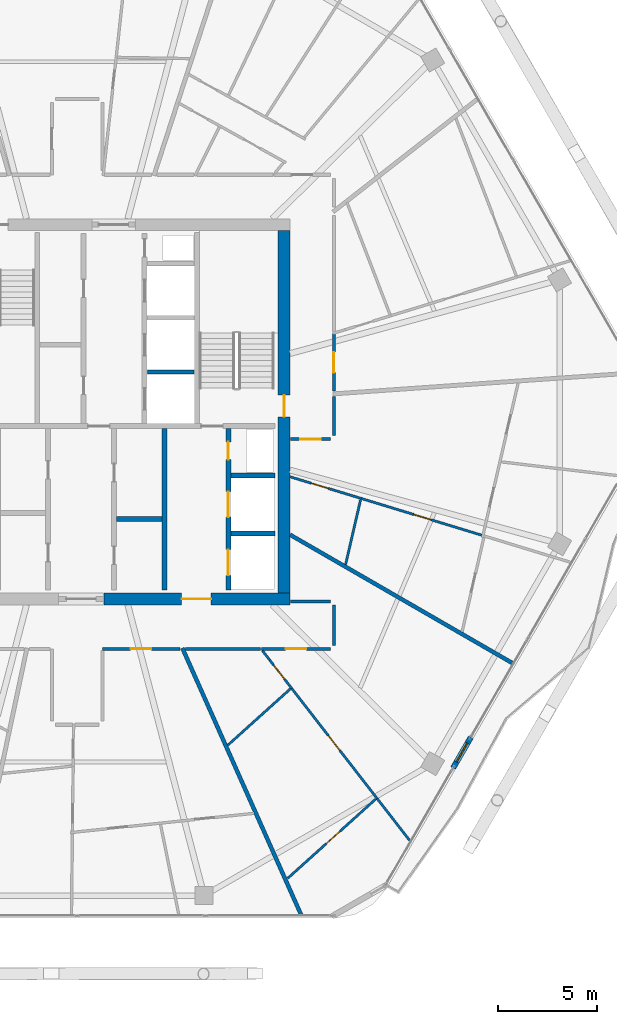
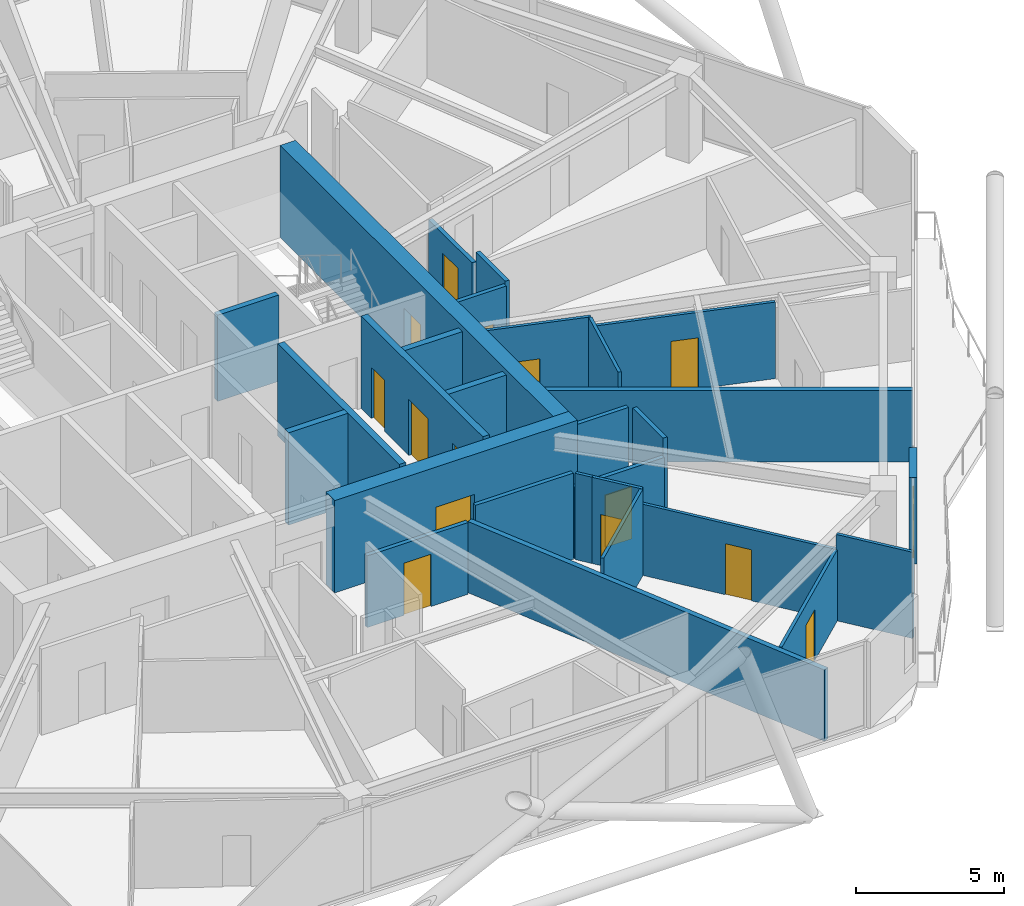
# One storey, part 22 of 29: 28 walls, 15 doors, 15 openings.
"""IFC4 building model written with IfcOpenShell, lengths in metres."""

import ifcopenshell
import ifcopenshell.guid

model = None  # the IFC model being written
_history = None  # IfcOwnerHistory: only IFC2X3 demands one
_inside = {}  # id of a spatial element -> (the spatial element, [elements in it])
_under = {}  # id of a project, library or spatial element -> (it, [spatial elements below it])
_declared = {}  # id of a project -> (the project, [libraries it declares])
_typed = {}  # id of a type object -> (the type object, [elements of that type])
_made_of = {}  # id of a material, layer set ... -> (it, [elements and type objects made of it])


def new_model(schema):
    """Start an empty IFC model of exactly this schema.

    Asked for "IFC4X3", IfcOpenShell would pick the latest addendum, in which some entities
    have other attributes; the version numbers below select the first issue.
    IFC2X3 requires an IfcOwnerHistory on every rooted entity: one is made here for all.
    """
    global model, _history
    if schema == "IFC4X3":
        model = ifcopenshell.file(schema_version=(4, 3, 0, 0))
    else:
        model = ifcopenshell.file(schema=schema)
    _inside.clear()
    _under.clear()
    _declared.clear()
    _typed.clear()
    _made_of.clear()
    _history = None
    if model.schema == "IFC2X3":
        org = make("IfcOrganization", Name="unknown")
        user = make(
            "IfcPersonAndOrganization",
            ThePerson=make("IfcPerson", FamilyName="unknown"),
            TheOrganization=org,
        )
        app = make(
            "IfcApplication",
            ApplicationDeveloper=org,
            Version="unknown",
            ApplicationFullName="unknown",
            ApplicationIdentifier="unknown",
        )
        _history = make(
            "IfcOwnerHistory",
            OwningUser=user,
            OwningApplication=app,
            ChangeAction="ADDED",
            CreationDate=0,
        )
    return model


def make(cls, **values):
    """One entity of the class cls with the attributes given. An attribute that is None is left unset."""
    return model.create_entity(
        cls, **{name: value for name, value in values.items() if value is not None}
    )


def rooted(cls, **values):
    """An entity with a GlobalId (a new one), such as an element, a storey or a relation."""
    return make(cls, GlobalId=ifcopenshell.guid.new(), OwnerHistory=_history, **values)


def si_unit(unit_type, name, prefix=None):
    """IfcSIUnit, for example si_unit("LENGTHUNIT", "METRE", prefix="MILLI")."""
    return make("IfcSIUnit", UnitType=unit_type, Prefix=prefix, Name=name)


def assignment(units):
    """IfcUnitAssignment: the units of a project."""
    return None if units is None else make("IfcUnitAssignment", Units=units)


def point(xyz):
    """IfcCartesianPoint."""
    return None if xyz is None else make("IfcCartesianPoint", Coordinates=xyz)


def direction(xyz):
    """IfcDirection."""
    return None if xyz is None else make("IfcDirection", DirectionRatios=xyz)


def frame(location, z_axis=None, x_axis=None):
    """IfcAxis2Placement3D, a coordinate frame: its origin and axes. An axis left out is left unset."""
    return make(
        "IfcAxis2Placement3D",
        Location=point(location),
        Axis=direction(z_axis),
        RefDirection=direction(x_axis),
    )


def frame_2d(location, x_axis=None):
    """IfcAxis2Placement2D, a coordinate frame in the plane: its origin and x axis."""
    return make(
        "IfcAxis2Placement2D", Location=point(location), RefDirection=direction(x_axis)
    )


def origin():
    """The frame at (0, 0, 0) with its axes left unset."""
    return frame((0.0, 0.0, 0.0))


def place(relative_to, where):
    """IfcLocalPlacement: puts the frame where relative to a parent placement (None: the world)."""
    return make(
        "IfcLocalPlacement", PlacementRelTo=relative_to, RelativePlacement=where
    )


def context(
    kind, dimensions, precision=None, world=None, true_north=None, identifier=None
):
    """IfcGeometricRepresentationContext, for example the 3D "Model" context."""
    return make(
        "IfcGeometricRepresentationContext",
        ContextIdentifier=identifier,
        ContextType=kind,
        CoordinateSpaceDimension=dimensions,
        Precision=precision,
        WorldCoordinateSystem=world,
        TrueNorth=true_north,
    )


def subcontext(parent, identifier, kind, view, scale=None):
    """IfcGeometricRepresentationSubContext, for example "Body" below "Model"."""
    return make(
        "IfcGeometricRepresentationSubContext",
        ContextIdentifier=identifier,
        ContextType=kind,
        ParentContext=parent,
        TargetScale=scale,
        TargetView=view,
    )


def project(units=None, contexts=None):
    """IfcProject with its units and contexts."""
    return rooted(
        "IfcProject",
        Name="project",
        RepresentationContexts=contexts,
        UnitsInContext=assignment(units),
    )


def spatial(cls, under=None, at=None, **own):
    """A site, building, storey or space (cls), placed at a placement, below another one or the project."""
    s = rooted(cls, ObjectPlacement=at, **own)
    if under is not None:
        _under.setdefault(under.id(), (under, []))[1].append(s)
    return s


def profile(cls, at=None, kind="AREA", **sizes):
    """A parametric profile (cls). Its sizes go by their IFC names, for example OverallWidth=200.0."""
    return make(cls, ProfileType=kind, Position=at, **sizes)


def rectangle(**sizes):
    """IfcRectangleProfileDef."""
    return profile("IfcRectangleProfileDef", **sizes)


def extrude(swept, where, along, depth):
    """IfcExtrudedAreaSolid: the profile swept, set in the frame where, extruded along a direction by depth."""
    return make(
        "IfcExtrudedAreaSolid",
        SweptArea=swept,
        Position=where,
        ExtrudedDirection=direction(along),
        Depth=depth,
    )


def shape(context_of_items, identifier, shape_type, items):
    """IfcShapeRepresentation: the items that make up one representation, for example the "Body"."""
    return make(
        "IfcShapeRepresentation",
        ContextOfItems=context_of_items,
        RepresentationIdentifier=identifier,
        RepresentationType=shape_type,
        Items=items,
    )


def material(Name=None, Category=None):
    """IfcMaterial."""
    return make("IfcMaterial", Name=Name, Category=Category)


def layer(
    of_material, thickness, ventilated=None, Name=None, Category=None, Priority=None
):
    """IfcMaterialLayer: one layer of a wall or slab, of a material (None: an air gap)."""
    return make(
        "IfcMaterialLayer",
        Material=of_material,
        LayerThickness=thickness,
        IsVentilated=ventilated,
        Name=Name,
        Category=Category,
        Priority=Priority,
    )


def layer_set(layers, Name=None):
    """IfcMaterialLayerSet."""
    return make("IfcMaterialLayerSet", MaterialLayers=layers, LayerSetName=Name)


def made_of(thing, what):
    """Note that an element or type object is made of a material, layer set ...; save() writes the relation."""
    if what is not None:
        _made_of.setdefault(what.id(), (what, []))[1].append(thing)
    return thing


def type_object(cls, material=None, **own):
    """A type object (cls), such as IfcWallType, which elements share."""
    return made_of(rooted(cls, **own), material)


def element(
    cls,
    number,
    at=None,
    inside=None,
    cuts=None,
    type_object=None,
    material=None,
    context=None,
    identifier="Body",
    shape_type=None,
    held_by="IfcProductDefinitionShape",
    body=None,
    shapes=None,
    **own,
):
    """One element of the class cls, such as IfcWall. Its Tag is "e" and its number.

    at: its placement. inside: the storey or other place that contains it. cuts: it is an
    opening in that element (IfcRelVoidsElement). A single representation is given by context,
    identifier, shape_type and body (its items); several are given by shapes. held_by: the class
    of the entity that holds the representations. save() writes the other relations.
    """
    e = rooted(cls, Tag="e%d" % number, ObjectPlacement=at, **own)
    if body is not None:
        shapes = [shape(context, identifier, shape_type, body)]
    if shapes is not None:
        e.Representation = make(held_by, Representations=shapes)
    if inside is not None:
        _inside.setdefault(inside.id(), (inside, []))[1].append(e)
    if cuts is not None:
        rooted(
            "IfcRelVoidsElement", RelatingBuildingElement=cuts, RelatedOpeningElement=e
        )
    if type_object is not None:
        _typed.setdefault(type_object.id(), (type_object, []))[1].append(e)
    return made_of(e, material)


def fill(opening, filler):
    """IfcRelFillsElement: the door or window that sits in an opening."""
    return rooted(
        "IfcRelFillsElement",
        RelatingOpeningElement=opening,
        RelatedBuildingElement=filler,
    )


def aggregate(whole, parts):
    """IfcRelAggregates: a whole, such as a stair, and the parts it consists of."""
    return rooted("IfcRelAggregates", RelatingObject=whole, RelatedObjects=parts)


def save(model, path):
    """Write the relations noted so far, then the file.

    IfcRelAggregates (storeys below a building ...), IfcRelContainedInSpatialStructure (elements
    in a storey), IfcRelDefinesByType, IfcRelAssociatesMaterial and IfcRelDeclares: one each for
    every whole, place, type object, material and project.
    """
    for whole, parts in _under.values():
        aggregate(whole, parts)
    for where, things in _inside.values():
        rooted(
            "IfcRelContainedInSpatialStructure",
            RelatedElements=things,
            RelatingStructure=where,
        )
    for kind, things in _typed.values():
        rooted("IfcRelDefinesByType", RelatedObjects=things, RelatingType=kind)
    for what, things in _made_of.values():
        rooted("IfcRelAssociatesMaterial", RelatedObjects=things, RelatingMaterial=what)
    for by, libraries in _declared.values():
        rooted("IfcRelDeclares", RelatingContext=by, RelatedDefinitions=libraries)
    model.write(path)


model = new_model("IFC4")

# Units and contexts
model_context = context("Model", 3, precision=1e-05, world=origin(), true_north=direction((0.0, 1.0)))
body_context = subcontext(model_context, "Body", "Model", "MODEL_VIEW")
ifc_project = project(units=[si_unit("LENGTHUNIT", "METRE"), si_unit("AREAUNIT", "SQUARE_METRE"), si_unit("VOLUMEUNIT", "CUBIC_METRE"), si_unit("PLANEANGLEUNIT", "RADIAN"), si_unit("MASSUNIT", "GRAM", prefix="KILO")], contexts=[model_context])

# Site, building, storey
site_placement = place(None, origin())
site = spatial("IfcSite", under=ifc_project, at=site_placement, CompositionType="ELEMENT")
building_placement = place(site_placement, origin())
building = spatial("IfcBuilding", under=site, at=building_placement, Name="Zuhravey Tower", CompositionType="ELEMENT")
storey_placement = place(building_placement, frame((0.0, 0.0, 246.39990234375)))
storey = spatial("IfcBuildingStorey", under=building, at=storey_placement, Name="L62", CompositionType="ELEMENT", Elevation=246.39990234375)

# Wall, opening, door
ifc_material_1 = material(Name="Concrete C50/60", Category="concrete")
ifc_layer_1 = layer(ifc_material_1, 0.60009765625)
ifc_layer_set_1 = layer_set([ifc_layer_1], Name="Concrete C50/60")
wall_type_1 = type_object("IfcWallType", Name="Core Shear Wall 600", PredefinedType="SHEAR", material=ifc_layer_set_1)
wall_1_placement = place(storey_placement, frame((37.35009765625, 22.5, 0.0), z_axis=(0.0, 0.0, 1.0), x_axis=(1.0, 0.0, 0.0)))
wall_1 = element("IfcWall", 1, at=wall_1_placement, inside=storey, type_object=wall_type_1, Name="L62 South-East Core Shear Wall CW60", PredefinedType="SHEAR", context=body_context, shape_type="SweptSolid", body=[
    extrude(rectangle(XDim=9.449951171875, YDim=0.60009765625, at=frame_2d((4.72509765625, 0.0))), origin(), (0.0, 0.0, 1.0), 3.800048828125),
])
opening_1_placement = place(wall_1_placement, frame((3.949951171875, 0.0, 0.0)))
opening_1 = element("IfcOpeningElement", 2, at=opening_1_placement, cuts=wall_1, Name="Opening FFD1", PredefinedType="OPENING", context=body_context, shape_type="SweptSolid", body=[
    extrude(rectangle(XDim=1.5, YDim=2.14990234375, at=frame_2d((0.75, 1.074951171875))), frame((0.0, 0.31201171875, 0.0), z_axis=(0.0, -1.0, 0.0), x_axis=(1.0, 0.0, 0.0)), (0.0, 0.0, 1.0), 0.6240234375),
])
ifc_material_2 = material(Name="Galvanised fire-rated steel leaf", Category="steel")
door_type_1 = type_object("IfcDoorType", Name="Firefighting Lobby Double Door 1500x2150", OperationType="DOUBLE_DOOR_SINGLE_SWING", PredefinedType="DOOR", material=ifc_material_2)
door_1_placement = place(opening_1_placement, origin())
door_1 = element("IfcDoor", 3, at=door_1_placement, inside=storey, type_object=door_type_1, Name="L62 Firefighting Lobby East Door", OperationType="DOUBLE_DOOR_SINGLE_SWING", OverallHeight=2.14990234375, OverallWidth=1.5, PredefinedType="DOOR", context=body_context, shape_type="SweptSolid", body=[
    extrude(rectangle(XDim=1.5, YDim=2.14990234375, at=frame_2d((0.75, 1.074951171875))), frame((0.0, 0.02490234375, 0.0), z_axis=(0.0, -1.0, 0.0), x_axis=(1.0, 0.0, 0.0)), (0.0, 0.0, 1.0), 0.050048828125),
])
fill(opening_1, door_1)

wall_2_placement = place(storey_placement, frame((46.5, 22.800048828125, 0.0), z_axis=(0.0, 0.0, 1.0), x_axis=(0.0, 1.0, 0.0)))
wall_2 = element("IfcWall", 4, at=wall_2_placement, inside=storey, type_object=wall_type_1, Name="L62 East Core Shear Wall CW60", PredefinedType="SHEAR", context=body_context, shape_type="SweptSolid", body=[
    extrude(rectangle(XDim=18.39990234375, YDim=0.60009765625, at=frame_2d((9.199951171875, 0.0))), origin(), (0.0, 0.0, 1.0), 3.800048828125),
])
opening_2_placement = place(wall_2_placement, frame((8.949951171875, 0.0, 0.0)))
opening_2 = element("IfcOpeningElement", 5, at=opening_2_placement, cuts=wall_2, Name="Opening STD1", PredefinedType="OPENING", context=body_context, shape_type="SweptSolid", body=[
    extrude(rectangle(XDim=1.10009765625, YDim=2.14990234375, at=frame_2d((0.550048828125, 1.074951171875))), frame((0.0, 0.31201171875, 0.0), z_axis=(0.0, -1.0, 0.0), x_axis=(1.0, 0.0, 0.0)), (0.0, 0.0, 1.0), 0.6240234375),
])
door_type_2 = type_object("IfcDoorType", Name="Protected Stair Fire Door 1100x2150", OperationType="NOTDEFINED", PredefinedType="USERDEFINED", material=ifc_material_2)
door_2_placement = place(opening_2_placement, origin())
door_2 = element("IfcDoor", 6, at=door_2_placement, inside=storey, type_object=door_type_2, Name="L62 Stair ST2 Door", ObjectType="EXITDOOR", OperationType="SINGLE_SWING_RIGHT", OverallHeight=2.14990234375, OverallWidth=1.10009765625, PredefinedType="USERDEFINED", context=body_context, shape_type="SweptSolid", body=[
    extrude(rectangle(XDim=1.10009765625, YDim=2.14990234375, at=frame_2d((0.550048828125, 1.074951171875))), frame((0.0, 0.02490234375, 0.0), z_axis=(0.0, -1.0, 0.0), x_axis=(1.0, 0.0, 0.0)), (0.0, 0.0, 1.0), 0.050048828125),
])
fill(opening_2, door_2)

ifc_material_3 = material(Name="Gypsum fire-rated stud partition")
ifc_layer_2 = layer(ifc_material_3, 0.159912109375)
ifc_layer_set_2 = layer_set([ifc_layer_2], Name="Gypsum fire-rated stud partition")
wall_type_2 = type_object("IfcWallType", Name="Corridor Fire Partition 160", PredefinedType="PARTITIONING", material=ifc_layer_set_2)
wall_3_placement = place(storey_placement, frame((37.280029296875, 19.969970703125, 0.0), z_axis=(0.0, 0.0, 1.0), x_axis=(1.0, 0.0, 0.0)))
wall_3 = element("IfcWall", 7, at=wall_3_placement, inside=storey, type_object=wall_type_2, Name="L62 IW16 Partition 047", PredefinedType="PARTITIONING", context=body_context, shape_type="SweptSolid", body=[
    extrude(rectangle(XDim=3.928955078125, YDim=0.159912109375, at=frame_2d((1.96435546875, 0.0))), origin(), (0.0, 0.0, 1.0), 2.9501953125),
])
opening_3_placement = place(wall_3_placement, frame((1.439453125, 0.0, 0.0)))
opening_3 = element("IfcOpeningElement", 8, at=opening_3_placement, cuts=wall_3, Name="Opening APD1", PredefinedType="OPENING", context=body_context, shape_type="SweptSolid", body=[
    extrude(rectangle(XDim=1.050048828125, YDim=2.14990234375, at=frame_2d((0.52490234375, 1.074951171875))), frame((0.0, 0.092041015625, 0.0), z_axis=(0.0, -1.0, 0.0), x_axis=(1.0, 0.0, 0.0)), (0.0, 0.0, 1.0), 0.183837890625),
])
ifc_material_4 = material(Name="Solid-core oak fire-rated leaf")
door_type_3 = type_object("IfcDoorType", Name="Apartment Entrance Fire Door 1050x2150", OperationType="NOTDEFINED", PredefinedType="DOOR", material=ifc_material_4)
door_3_placement = place(opening_3_placement, frame((1.050048828125, 0.0, 0.0), z_axis=(0.0, 0.0, 1.0), x_axis=(-1.0, 0.0, 0.0)))
door_3 = element("IfcDoor", 9, at=door_3_placement, inside=storey, type_object=door_type_3, Name="L62 Door 047.1", OperationType="SINGLE_SWING_RIGHT", OverallHeight=2.14990234375, OverallWidth=1.050048828125, PredefinedType="DOOR", context=body_context, shape_type="SweptSolid", body=[
    extrude(rectangle(XDim=1.050048828125, YDim=2.14990234375, at=frame_2d((0.52490234375, 1.074951171875))), frame((0.0, 0.02490234375, 0.0), z_axis=(0.0, -1.0, 0.0), x_axis=(1.0, 0.0, 0.0)), (0.0, 0.0, 1.0), 0.050048828125),
])
fill(opening_3, door_3)

wall_4_placement = place(storey_placement, frame((45.356689453125, 19.969970703125, 0.0), z_axis=(0.0, 0.0, 1.0), x_axis=(1.0, 0.0, 0.0)))
wall_4 = element("IfcWall", 10, at=wall_4_placement, inside=storey, type_object=wall_type_2, Name="L62 IW16 Partition 051", PredefinedType="PARTITIONING", context=body_context, shape_type="SweptSolid", body=[
    extrude(rectangle(XDim=3.493408203125, YDim=0.159912109375, at=frame_2d((1.74658203125, 0.0))), origin(), (0.0, 0.0, 1.0), 2.9501953125),
])
opening_4_placement = place(wall_4_placement, frame((1.2216796875, 0.0, 0.0)))
opening_4 = element("IfcOpeningElement", 11, at=opening_4_placement, cuts=wall_4, Name="Opening APD1", PredefinedType="OPENING", context=body_context, shape_type="SweptSolid", body=[
    extrude(rectangle(XDim=1.050048828125, YDim=2.14990234375, at=frame_2d((0.52490234375, 1.074951171875))), frame((0.0, 0.092041015625, 0.0), z_axis=(0.0, -1.0, 0.0), x_axis=(1.0, 0.0, 0.0)), (0.0, 0.0, 1.0), 0.183837890625),
])
door_4_placement = place(opening_4_placement, frame((1.050048828125, 0.0, 0.0), z_axis=(0.0, 0.0, 1.0), x_axis=(-1.0, 0.0, 0.0)))
door_4 = element("IfcDoor", 12, at=door_4_placement, inside=storey, type_object=door_type_3, Name="L62 Door 051.1", OperationType="SINGLE_SWING_RIGHT", OverallHeight=2.14990234375, OverallWidth=1.050048828125, PredefinedType="DOOR", context=body_context, shape_type="SweptSolid", body=[
    extrude(rectangle(XDim=1.050048828125, YDim=2.14990234375, at=frame_2d((0.52490234375, 1.074951171875))), frame((0.0, 0.02490234375, 0.0), z_axis=(0.0, -1.0, 0.0), x_axis=(1.0, 0.0, 0.0)), (0.0, 0.0, 1.0), 0.050048828125),
])
fill(opening_4, door_4)

wall_5_placement = place(storey_placement, frame((46.820068359375, 30.6201171875, 0.0), z_axis=(0.0, 0.0, 1.0), x_axis=(1.0, 0.0, 0.0)))
wall_5 = element("IfcWall", 13, at=wall_5_placement, inside=storey, type_object=wall_type_2, Name="L62 IW16 Partition 056", PredefinedType="PARTITIONING", context=body_context, shape_type="SweptSolid", body=[
    extrude(rectangle(XDim=2.030029296875, YDim=0.159912109375, at=frame_2d((1.01513671875, 0.0))), origin(), (0.0, 0.0, 1.0), 3.550048828125),
])
opening_5_placement = place(wall_5_placement, frame((0.489990234375, 0.0, 0.0)))
opening_5 = element("IfcOpeningElement", 14, at=opening_5_placement, cuts=wall_5, Name="Opening APD1", PredefinedType="OPENING", context=body_context, shape_type="SweptSolid", body=[
    extrude(rectangle(XDim=1.050048828125, YDim=2.14990234375, at=frame_2d((0.52490234375, 1.074951171875))), frame((0.0, 0.092041015625, 0.0), z_axis=(0.0, -1.0, 0.0), x_axis=(1.0, 0.0, 0.0)), (0.0, 0.0, 1.0), 0.183837890625),
])
door_5_placement = place(opening_5_placement, frame((1.050048828125, 0.0, 0.0), z_axis=(0.0, 0.0, 1.0), x_axis=(-1.0, 0.0, 0.0)))
door_5 = element("IfcDoor", 15, at=door_5_placement, inside=storey, type_object=door_type_3, Name="L62 Door 056.1", OperationType="SINGLE_SWING_RIGHT", OverallHeight=2.14990234375, OverallWidth=1.050048828125, PredefinedType="DOOR", context=body_context, shape_type="SweptSolid", body=[
    extrude(rectangle(XDim=1.050048828125, YDim=2.14990234375, at=frame_2d((0.52490234375, 1.074951171875))), frame((0.0, 0.02490234375, 0.0), z_axis=(0.0, -1.0, 0.0), x_axis=(1.0, 0.0, 0.0)), (0.0, 0.0, 1.0), 0.050048828125),
])
fill(opening_5, door_5)

wall_6_placement = place(storey_placement, frame((49.030029296875, 33.04541015625, 0.0), z_axis=(0.0, 0.0, 1.0), x_axis=(0.0, 1.0, 0.0)))
wall_6 = element("IfcWall", 16, at=wall_6_placement, inside=storey, type_object=wall_type_2, Name="L62 IW16 Partition 060", PredefinedType="PARTITIONING", context=body_context, shape_type="SweptSolid", body=[
    extrude(rectangle(XDim=2.92724609375, YDim=0.159912109375, at=frame_2d((1.463623046875, 0.0))), origin(), (0.0, 0.0, 1.0), 2.9501953125),
])
opening_6_placement = place(wall_6_placement, frame((0.938720703125, 0.0, 0.0)))
opening_6 = element("IfcOpeningElement", 17, at=opening_6_placement, cuts=wall_6, Name="Opening APD1", PredefinedType="OPENING", context=body_context, shape_type="SweptSolid", body=[
    extrude(rectangle(XDim=1.050048828125, YDim=2.14990234375, at=frame_2d((0.52490234375, 1.074951171875))), frame((0.0, 0.092041015625, 0.0), z_axis=(0.0, -1.0, 0.0), x_axis=(1.0, 0.0, 0.0)), (0.0, 0.0, 1.0), 0.183837890625),
])
door_6_placement = place(opening_6_placement, frame((1.050048828125, 0.0, 0.0), z_axis=(0.0, 0.0, 1.0), x_axis=(-1.0, 0.0, 0.0)))
door_6 = element("IfcDoor", 18, at=door_6_placement, inside=storey, type_object=door_type_3, Name="L62 Door 060.1", OperationType="SINGLE_SWING_RIGHT", OverallHeight=2.14990234375, OverallWidth=1.050048828125, PredefinedType="DOOR", context=body_context, shape_type="SweptSolid", body=[
    extrude(rectangle(XDim=1.050048828125, YDim=2.14990234375, at=frame_2d((0.52490234375, 1.074951171875))), frame((0.0, 0.02490234375, 0.0), z_axis=(0.0, -1.0, 0.0), x_axis=(1.0, 0.0, 0.0)), (0.0, 0.0, 1.0), 0.050048828125),
])
fill(opening_6, door_6)

# Walls
wall_7_placement = place(storey_placement, frame((49.030029296875, 20.14990234375, 0.0), z_axis=(0.0, 0.0, 1.0), x_axis=(0.0, 1.0, 0.0)))
element("IfcWall", 19, at=wall_7_placement, inside=storey, type_object=wall_type_2, Name="L62 IW16 Partition 135", PredefinedType="PARTITIONING", context=body_context, shape_type="SweptSolid", body=[
    extrude(rectangle(XDim=2.050048828125, YDim=0.159912109375, at=frame_2d((1.02490234375, 0.0))), origin(), (0.0, 0.0, 1.0), 3.550048828125),
])
wall_8_placement = place(storey_placement, frame((48.85009765625, 22.3798828125, 0.0), z_axis=(0.0, 0.0, 1.0), x_axis=(-1.0, 0.0, 0.0)))
element("IfcWall", 20, at=wall_8_placement, inside=storey, type_object=wall_type_2, Name="L62 IW16 Partition 136", PredefinedType="PARTITIONING", context=body_context, shape_type="SweptSolid", body=[
    extrude(rectangle(XDim=2.030029296875, YDim=0.159912109375, at=frame_2d((1.01513671875, 0.0))), origin(), (0.0, 0.0, 1.0), 3.550048828125),
])
wall_9_placement = place(storey_placement, frame((41.50439453125, 19.969970703125, 0.0), z_axis=(0.0, 0.0, 1.0), x_axis=(1.0, 0.0, 0.0)))
element("IfcWall", 21, at=wall_9_placement, inside=storey, type_object=wall_type_2, Name="L62 IW16 Partition 137", PredefinedType="PARTITIONING", context=body_context, shape_type="SweptSolid", body=[
    extrude(rectangle(XDim=3.8017578125, YDim=0.159912109375, at=frame_2d((1.90087890625, 0.0))), origin(), (0.0, 0.0, 1.0), 3.550048828125),
])
wall_10_placement = place(storey_placement, frame((49.030029296875, 30.800048828125, 0.0), z_axis=(0.0, 0.0, 1.0), x_axis=(0.0, 1.0, 0.0)))
element("IfcWall", 22, at=wall_10_placement, inside=storey, type_object=wall_type_2, Name="L62 IW16 Partition 138", PredefinedType="PARTITIONING", context=body_context, shape_type="SweptSolid", body=[
    extrude(rectangle(XDim=1.976806640625, YDim=0.159912109375, at=frame_2d((0.98828125, 0.0))), origin(), (0.0, 0.0, 1.0), 3.550048828125),
])

# Wall, opening, door
ifc_material_5 = material(Name="Precast concrete C40/50", Category="concrete")
ifc_layer_3 = layer(ifc_material_5, 0.280029296875)
ifc_layer_set_3 = layer_set([ifc_layer_3], Name="Precast concrete C40/50")
wall_type_3 = type_object("IfcWallType", Name="Crown Architectural Wall 280", PredefinedType="SOLIDWALL", material=ifc_layer_set_3)
wall_11_placement = place(storey_placement, frame((55.97998046875, 15.47900390625, 0.0), z_axis=(0.0, 0.0, 1.0), x_axis=(-0.500041240653, -0.866001592173, 0.0)))
wall_11 = element("IfcWall", 23, at=wall_11_placement, inside=storey, type_object=wall_type_3, Name="L62 Face 6 Facade Pier EW28-1", PredefinedType="SOLIDWALL", context=body_context, shape_type="SweptSolid", body=[
    extrude(rectangle(XDim=1.789794921875, YDim=0.280029296875, at=frame_2d((0.89501953125, 0.0))), origin(), (0.0, 0.0, 1.0), 3.550048828125),
])
opening_7_placement = place(wall_11_placement, frame((0.344970703125, 0.0, 0.0)))
opening_7 = element("IfcOpeningElement", 24, at=opening_7_placement, cuts=wall_11, Name="Opening BLD1", PredefinedType="OPENING", context=body_context, shape_type="SweptSolid", body=[
    extrude(rectangle(XDim=1.10009765625, YDim=2.199951171875, at=frame_2d((0.550048828125, 1.10009765625))), frame((0.0, 0.152099609375, 0.0), z_axis=(0.0, -1.0, 0.0), x_axis=(1.0, 0.0, 0.0)), (0.0, 0.0, 1.0), 0.303955078125),
])
ifc_material_6 = material(Name="Thermally broken aluminium and low-E glass", Category="aluminium")
door_type_4 = type_object("IfcDoorType", Name="Balcony & Sky-Tray Glazed Door 1100x2200", OperationType="NOTDEFINED", PredefinedType="DOOR", material=ifc_material_6)
door_7_placement = place(opening_7_placement, frame((1.10009765625, 0.0, 0.0), z_axis=(0.0, 0.0, 1.0), x_axis=(-1.0, 0.0, 0.0)))
door_7 = element("IfcDoor", 25, at=door_7_placement, inside=storey, type_object=door_type_4, Name="L62 Face 6 Wave Balcony Door", OperationType="SINGLE_SWING_LEFT", OverallHeight=2.199951171875, OverallWidth=1.10009765625, PredefinedType="DOOR", context=body_context, shape_type="SweptSolid", body=[
    extrude(rectangle(XDim=1.10009765625, YDim=2.199951171875, at=frame_2d((0.550048828125, 1.10009765625))), frame((0.0, 0.02490234375, 0.0), z_axis=(0.0, -1.0, 0.0), x_axis=(1.0, 0.0, 0.0)), (0.0, 0.0, 1.0), 0.050048828125),
])
fill(opening_7, door_7)

# Walls
ifc_layer_4 = layer(ifc_material_1, 0.25)
ifc_layer_set_4 = layer_set([ifc_layer_4], Name="Concrete C50/60")
wall_type_4 = type_object("IfcWallType", Name="Firefighting Shaft & Stair Wall 250", PredefinedType="SOLIDWALL", material=ifc_layer_set_4)
wall_12_placement = place(storey_placement, frame((38.0, 26.550048828125, 0.0), z_axis=(0.0, 0.0, 1.0), x_axis=(1.0, 0.0, 0.0)))
element("IfcWall", 26, at=wall_12_placement, inside=storey, type_object=wall_type_4, Name="L62 FW25 Shaft Wall 015", PredefinedType="SOLIDWALL", context=body_context, shape_type="SweptSolid", body=[
    extrude(rectangle(XDim=2.300048828125, YDim=0.25, at=frame_2d((1.14990234375, 0.0))), origin(), (0.0, 0.0, 1.0), 3.800048828125),
])
wall_13_placement = place(storey_placement, frame((40.425048828125, 22.949951171875, 0.0), z_axis=(0.0, 0.0, 1.0), x_axis=(0.0, 1.0, 0.0)))
element("IfcWall", 27, at=wall_13_placement, inside=storey, type_object=wall_type_4, Name="L62 FW25 Shaft Wall 017", PredefinedType="SOLIDWALL", context=body_context, shape_type="SweptSolid", body=[
    extrude(rectangle(XDim=8.199951171875, YDim=0.25, at=frame_2d((4.10009765625, 0.0))), origin(), (0.0, 0.0, 1.0), 3.800048828125),
])
for number, where, z_axis, x_axis, name in (
    (28, (43.800048828125, 25.824951171875, 0.0), (0.0, 0.0, 1.0), (1.0, 0.0, 0.0), "L62 FW25 Shaft Wall 018"),
    (29, (43.800048828125, 28.77490234375, 0.0), (0.0, 0.0, 1.0), (1.0, 0.0, 0.0), "L62 FW25 Shaft Wall 019"),
):
    element("IfcWall", number, at=place(storey_placement, frame(where, z_axis=z_axis, x_axis=x_axis)), inside=storey, type_object=wall_type_4, Name=name, PredefinedType="SOLIDWALL", context=body_context, shape_type="SweptSolid", body=[
        extrude(rectangle(XDim=2.25, YDim=0.25, at=frame_2d((1.125, 0.0))), origin(), (0.0, 0.0, 1.0), 3.800048828125),
    ])

# Wall, openings, doors
wall_14_placement = place(storey_placement, frame((43.675048828125, 22.949951171875, 0.0), z_axis=(0.0, 0.0, 1.0), x_axis=(0.0, 1.0, 0.0)))
wall_14 = element("IfcWall", 30, at=wall_14_placement, inside=storey, type_object=wall_type_4, Name="L62 FW25 Shaft Wall 020", PredefinedType="SOLIDWALL", context=body_context, shape_type="SweptSolid", body=[
    extrude(rectangle(XDim=8.199951171875, YDim=0.25, at=frame_2d((4.10009765625, 0.0))), origin(), (0.0, 0.0, 1.0), 3.800048828125),
])
opening_8_placement = place(wall_14_placement, frame((0.75, 0.0, 0.0)))
opening_8 = element("IfcOpeningElement", 31, at=opening_8_placement, cuts=wall_14, Name="Opening LD2", PredefinedType="OPENING", context=body_context, shape_type="SweptSolid", body=[
    extrude(rectangle(XDim=1.300048828125, YDim=2.300048828125, at=frame_2d((0.64990234375, 1.14990234375))), frame((0.0, 0.136962890625, 0.0), z_axis=(0.0, -1.0, 0.0), x_axis=(1.0, 0.0, 0.0)), (0.0, 0.0, 1.0), 0.27392578125),
])
opening_9_placement = place(wall_14_placement, frame((3.699951171875, 0.0, 0.0)))
opening_9 = element("IfcOpeningElement", 32, at=opening_9_placement, cuts=wall_14, Name="Opening LD2", PredefinedType="OPENING", context=body_context, shape_type="SweptSolid", body=[
    extrude(rectangle(XDim=1.300048828125, YDim=2.300048828125, at=frame_2d((0.64990234375, 1.14990234375))), frame((0.0, 0.136962890625, 0.0), z_axis=(0.0, -1.0, 0.0), x_axis=(1.0, 0.0, 0.0)), (0.0, 0.0, 1.0), 0.27392578125),
])
opening_10_placement = place(wall_14_placement, frame((6.6201171875, 0.0, 0.0)))
opening_10 = element("IfcOpeningElement", 33, at=opening_10_placement, cuts=wall_14, Name="Opening RSD1", PredefinedType="OPENING", context=body_context, shape_type="SweptSolid", body=[
    extrude(rectangle(XDim=0.89990234375, YDim=2.10009765625, at=frame_2d((0.449951171875, 1.050048828125))), frame((0.0, 0.136962890625, 0.0), z_axis=(0.0, -1.0, 0.0), x_axis=(1.0, 0.0, 0.0)), (0.0, 0.0, 1.0), 0.27392578125),
])
ifc_material_7 = material(Name="Brushed stainless steel", Category="steel")
door_type_5 = type_object("IfcDoorType", Name="Freight & Stretcher Lift Sliding Door 1300x2300", OperationType="DOUBLE_DOOR_SLIDING", PredefinedType="DOOR", material=ifc_material_7)
door_8_placement = place(opening_8_placement, origin())
door_8 = element("IfcDoor", 34, at=door_8_placement, inside=storey, type_object=door_type_5, Name="L62 Lift FF2 Landing Door", OperationType="DOUBLE_DOOR_SLIDING", OverallHeight=2.300048828125, OverallWidth=1.300048828125, PredefinedType="DOOR", context=body_context, shape_type="SweptSolid", body=[
    extrude(rectangle(XDim=1.300048828125, YDim=2.300048828125, at=frame_2d((0.64990234375, 1.14990234375))), frame((0.0, 0.02490234375, 0.0), z_axis=(0.0, -1.0, 0.0), x_axis=(1.0, 0.0, 0.0)), (0.0, 0.0, 1.0), 0.050048828125),
])
fill(opening_8, door_8)
door_9_placement = place(opening_9_placement, origin())
door_9 = element("IfcDoor", 35, at=door_9_placement, inside=storey, type_object=door_type_5, Name="L62 Lift SV1 Landing Door", OperationType="DOUBLE_DOOR_SLIDING", OverallHeight=2.300048828125, OverallWidth=1.300048828125, PredefinedType="DOOR", context=body_context, shape_type="SweptSolid", body=[
    extrude(rectangle(XDim=1.300048828125, YDim=2.300048828125, at=frame_2d((0.64990234375, 1.14990234375))), frame((0.0, 0.02490234375, 0.0), z_axis=(0.0, -1.0, 0.0), x_axis=(1.0, 0.0, 0.0)), (0.0, 0.0, 1.0), 0.050048828125),
])
fill(opening_9, door_9)
ifc_material_8 = material(Name="Galvanised fire-rated steel access leaf", Category="steel")
door_type_6 = type_object("IfcDoorType", Name="Riser & Shaft Access Fire Door 900x2100", OperationType="NOTDEFINED", PredefinedType="DOOR", material=ifc_material_8)
door_10_placement = place(opening_10_placement, origin())
door_10 = element("IfcDoor", 36, at=door_10_placement, inside=storey, type_object=door_type_6, Name="L62 Plumbing Riser Door", OperationType="SINGLE_SWING_RIGHT", OverallHeight=2.10009765625, OverallWidth=0.89990234375, PredefinedType="DOOR", context=body_context, shape_type="SweptSolid", body=[
    extrude(rectangle(XDim=0.89990234375, YDim=2.10009765625, at=frame_2d((0.449951171875, 1.050048828125))), frame((0.0, 0.02490234375, 0.0), z_axis=(0.0, -1.0, 0.0), x_axis=(1.0, 0.0, 0.0)), (0.0, 0.0, 1.0), 0.050048828125),
])
fill(opening_10, door_10)

# Walls
ifc_material_9 = material(Name="Gypsum double-stud party assembly")
ifc_layer_5 = layer(ifc_material_9, 0.199951171875)
ifc_layer_set_5 = layer_set([ifc_layer_5], Name="Gypsum double-stud party assembly")
wall_type_5 = type_object("IfcWallType", Name="Inter-Tenancy Party Wall 200", PredefinedType="PARTITIONING", material=ifc_layer_set_5)
wall_15_placement = place(storey_placement, frame((41.33837890625, 20.010009765625, 0.0), z_axis=(0.0, 0.0, 1.0), x_axis=(0.406725337387, -0.913550491176, 0.0)))
element("IfcWall", 37, at=wall_15_placement, inside=storey, type_object=wall_type_5, Name="L62 IW20 Partition 100", PredefinedType="PARTITIONING", context=body_context, shape_type="SweptSolid", body=[
    extrude(rectangle(XDim=14.858154296875, YDim=0.199951171875, at=frame_2d((7.42919921875, 0.0))), origin(), (0.0, 0.0, 1.0), 2.93017578125),
])
wall_16_placement = place(storey_placement, frame((46.80810546875, 25.760009765625, 0.0), z_axis=(0.0, 0.0, 1.0), x_axis=(0.86602399778, -0.500002435262, 0.0)))
element("IfcWall", 38, at=wall_16_placement, inside=storey, type_object=wall_type_5, Name="L62 IW20 Partition 104", PredefinedType="PARTITIONING", context=body_context, shape_type="SweptSolid", body=[
    extrude(rectangle(XDim=13.08349609375, YDim=0.199951171875, at=frame_2d((6.541748046875, 0.0))), origin(), (0.0, 0.0, 1.0), 2.93017578125),
])
ifc_material_10 = material(Name="Gypsum acoustic stud assembly")
ifc_layer_6 = layer(ifc_material_10, 0.219970703125)
ifc_layer_set_6 = layer_set([ifc_layer_6], Name="Gypsum acoustic stud assembly")
wall_type_6 = type_object("IfcWallType", Name="School Acoustic Compartment Wall 220", PredefinedType="PARTITIONING", material=ifc_layer_set_6)
wall_17_placement = place(storey_placement, frame((39.55810546875, 34.02490234375, 0.0), z_axis=(0.0, 0.0, 1.0), x_axis=(1.0, 0.0, 0.0)))
element("IfcWall", 39, at=wall_17_placement, inside=storey, type_object=wall_type_6, Name="L62 IW22 Partition 070", PredefinedType="PARTITIONING", context=body_context, shape_type="SweptSolid", body=[
    extrude(rectangle(XDim=2.3837890625, YDim=0.219970703125, at=frame_2d((1.19189453125, 0.0))), origin(), (0.0, 0.0, 1.0), 3.550048828125),
])

# Wall, opening, door
ifc_material_11 = material(Name="Gypsum metal-stud partition")
ifc_layer_7 = layer(ifc_material_11, 0.1201171875)
ifc_layer_set_7 = layer_set([ifc_layer_7], Name="Gypsum metal-stud partition")
wall_type_7 = type_object("IfcWallType", Name="Unit Internal Partition 120", PredefinedType="PARTITIONING", material=ifc_layer_set_7)
wall_18_placement = place(storey_placement, frame((45.7734375, 19.39990234375, 0.0), z_axis=(0.0, 0.0, 1.0), x_axis=(0.612972513082, -0.790104232495, 0.0)))
wall_18 = element("IfcWall", 40, at=wall_18_placement, inside=storey, type_object=wall_type_7, Name="L62 IW12 Partition 048", PredefinedType="PARTITIONING", context=body_context, shape_type="SweptSolid", body=[
    extrude(rectangle(XDim=1.816650390625, YDim=0.1201171875, at=frame_2d((0.908203125, 0.0))), origin(), (0.0, 0.0, 1.0), 3.550048828125),
])
opening_11_placement = place(wall_18_placement, frame((0.31298828125, 0.0, 0.0)))
opening_11 = element("IfcOpeningElement", 41, at=opening_11_placement, cuts=wall_18, Name="Opening WCD1", PredefinedType="OPENING", context=body_context, shape_type="SweptSolid", body=[
    extrude(rectangle(XDim=0.89990234375, YDim=2.10009765625, at=frame_2d((0.449951171875, 1.050048828125))), frame((0.0, 0.072021484375, 0.0), z_axis=(0.0, -1.0, 0.0), x_axis=(1.0, 0.0, 0.0)), (0.0, 0.0, 1.0), 0.14404296875),
])
ifc_material_12 = material(Name="Moisture-resistant timber leaf", Category="wood")
door_type_7 = type_object("IfcDoorType", Name="Bathroom & WC Internal Door 900x2100", OperationType="NOTDEFINED", PredefinedType="DOOR", material=ifc_material_12)
door_11_placement = place(opening_11_placement, frame((0.89990234375, 0.0, 0.0), z_axis=(0.0, 0.0, 1.0), x_axis=(-1.0, 0.0, 0.0)))
door_11 = element("IfcDoor", 42, at=door_11_placement, inside=storey, type_object=door_type_7, Name="Apartment L62-07 Bathroom Door", OperationType="SINGLE_SWING_LEFT", OverallHeight=2.10009765625, OverallWidth=0.89990234375, PredefinedType="DOOR", context=body_context, shape_type="SweptSolid", body=[
    extrude(rectangle(XDim=0.89990234375, YDim=2.10009765625, at=frame_2d((0.449951171875, 1.050048828125))), frame((0.0, 0.02490234375, 0.0), z_axis=(0.0, -1.0, 0.0), x_axis=(1.0, 0.0, 0.0)), (0.0, 0.0, 1.0), 0.050048828125),
])
fill(opening_11, door_11)

wall_19_placement = place(storey_placement, frame((46.88720703125, 17.964599609375, 0.0), z_axis=(0.0, 0.0, 1.0), x_axis=(0.612896077685, -0.790163526087, 0.0)))
wall_19 = element("IfcWall", 43, at=wall_19_placement, inside=storey, type_object=wall_type_7, Name="L62 IW12 Partition 049", PredefinedType="PARTITIONING", context=body_context, shape_type="SweptSolid", body=[
    extrude(rectangle(XDim=7.074951171875, YDim=0.1201171875, at=frame_2d((3.53759765625, 0.0))), origin(), (0.0, 0.0, 1.0), 2.93017578125),
])
opening_12_placement = place(wall_19_placement, frame((3.03759765625, 0.0, 0.0)))
opening_12 = element("IfcOpeningElement", 44, at=opening_12_placement, cuts=wall_19, Name="Opening IND1", PredefinedType="OPENING", context=body_context, shape_type="SweptSolid", body=[
    extrude(rectangle(XDim=0.949951171875, YDim=2.10009765625, at=frame_2d((0.47509765625, 1.050048828125))), frame((0.0, 0.072021484375, 0.0), z_axis=(0.0, -1.0, 0.0), x_axis=(1.0, 0.0, 0.0)), (0.0, 0.0, 1.0), 0.14404296875),
])
ifc_material_13 = material(Name="Painted engineered timber leaf", Category="wood")
door_type_8 = type_object("IfcDoorType", Name="Internal Room & Bedroom Door 950x2100", OperationType="NOTDEFINED", PredefinedType="DOOR", material=ifc_material_13)
door_12_placement = place(opening_12_placement, frame((0.949951171875, 0.0, 0.0), z_axis=(0.0, 0.0, 1.0), x_axis=(-1.0, 0.0, 0.0)))
door_12 = element("IfcDoor", 45, at=door_12_placement, inside=storey, type_object=door_type_8, Name="Apartment L62-07 Home Office Door", OperationType="SINGLE_SWING_RIGHT", OverallHeight=2.10009765625, OverallWidth=0.949951171875, PredefinedType="DOOR", context=body_context, shape_type="SweptSolid", body=[
    extrude(rectangle(XDim=0.949951171875, YDim=2.10009765625, at=frame_2d((0.47509765625, 1.050048828125))), frame((0.0, 0.02490234375, 0.0), z_axis=(0.0, -1.0, 0.0), x_axis=(1.0, 0.0, 0.0)), (0.0, 0.0, 1.0), 0.050048828125),
])
fill(opening_12, door_12)

wall_20_placement = place(storey_placement, frame((46.68212890625, 8.319091796875, 0.0), z_axis=(0.0, 0.0, 1.0), x_axis=(0.743153013224, 0.669121512834, 0.0)))
wall_20 = element("IfcWall", 46, at=wall_20_placement, inside=storey, type_object=wall_type_7, Name="L62 IW12 Partition 050", PredefinedType="PARTITIONING", context=body_context, shape_type="SweptSolid", body=[
    extrude(rectangle(XDim=6.021728515625, YDim=0.1201171875, at=frame_2d((3.0107421875, 0.0))), origin(), (0.0, 0.0, 1.0), 2.93017578125),
])
opening_13_placement = place(wall_20_placement, frame((2.6201171875, 0.0, 0.0)))
opening_13 = element("IfcOpeningElement", 47, at=opening_13_placement, cuts=wall_20, Name="Opening IND1", PredefinedType="OPENING", context=body_context, shape_type="SweptSolid", body=[
    extrude(rectangle(XDim=0.949951171875, YDim=2.10009765625, at=frame_2d((0.47509765625, 1.050048828125))), frame((0.0, 0.072021484375, 0.0), z_axis=(0.0, -1.0, 0.0), x_axis=(1.0, 0.0, 0.0)), (0.0, 0.0, 1.0), 0.14404296875),
])
door_13_placement = place(opening_13_placement, frame((0.949951171875, 0.0, 0.0), z_axis=(0.0, 0.0, 1.0), x_axis=(-1.0, 0.0, 0.0)))
door_13 = element("IfcDoor", 48, at=door_13_placement, inside=storey, type_object=door_type_8, Name="Apartment L62-07 Bedroom 1 Door", OperationType="SINGLE_SWING_LEFT", OverallHeight=2.10009765625, OverallWidth=0.949951171875, PredefinedType="DOOR", context=body_context, shape_type="SweptSolid", body=[
    extrude(rectangle(XDim=0.949951171875, YDim=2.10009765625, at=frame_2d((0.47509765625, 1.050048828125))), frame((0.0, 0.02490234375, 0.0), z_axis=(0.0, -1.0, 0.0), x_axis=(1.0, 0.0, 0.0)), (0.0, 0.0, 1.0), 0.050048828125),
])
fill(opening_13, door_13)

wall_21_placement = place(storey_placement, frame((46.80810546875, 28.703857421875, 0.0), z_axis=(0.0, 0.0, 1.0), x_axis=(0.956504815911, -0.291716535594, 0.0)))
wall_21 = element("IfcWall", 49, at=wall_21_placement, inside=storey, type_object=wall_type_7, Name="L62 IW12 Partition 053", PredefinedType="PARTITIONING", context=body_context, shape_type="SweptSolid", body=[
    extrude(rectangle(XDim=3.78125, YDim=0.1201171875, at=frame_2d((1.890625, 0.0))), origin(), (0.0, 0.0, 1.0), 3.550048828125),
])
opening_14_placement = place(wall_21_placement, frame((1.11865234375, 0.0, 0.0)))
opening_14 = element("IfcOpeningElement", 50, at=opening_14_placement, cuts=wall_21, Name="Opening WCD1", PredefinedType="OPENING", context=body_context, shape_type="SweptSolid", body=[
    extrude(rectangle(XDim=0.89990234375, YDim=2.10009765625, at=frame_2d((0.449951171875, 1.050048828125))), frame((0.0, 0.072021484375, 0.0), z_axis=(0.0, -1.0, 0.0), x_axis=(1.0, 0.0, 0.0)), (0.0, 0.0, 1.0), 0.14404296875),
])
door_14_placement = place(opening_14_placement, frame((0.89990234375, 0.0, 0.0), z_axis=(0.0, 0.0, 1.0), x_axis=(-1.0, 0.0, 0.0)))
door_14 = element("IfcDoor", 51, at=door_14_placement, inside=storey, type_object=door_type_7, Name="Apartment L62-08 Bathroom Door", OperationType="SINGLE_SWING_LEFT", OverallHeight=2.10009765625, OverallWidth=0.89990234375, PredefinedType="DOOR", context=body_context, shape_type="SweptSolid", body=[
    extrude(rectangle(XDim=0.89990234375, YDim=2.10009765625, at=frame_2d((0.449951171875, 1.050048828125))), frame((0.0, 0.02490234375, 0.0), z_axis=(0.0, -1.0, 0.0), x_axis=(1.0, 0.0, 0.0)), (0.0, 0.0, 1.0), 0.050048828125),
])
fill(opening_14, door_14)

wall_22_placement = place(storey_placement, frame((50.4248046875, 27.600830078125, 0.0), z_axis=(0.0, 0.0, 1.0), x_axis=(0.956517137307, -0.291676132103, 0.0)))
wall_22 = element("IfcWall", 52, at=wall_22_placement, inside=storey, type_object=wall_type_7, Name="L62 IW12 Partition 054", PredefinedType="PARTITIONING", context=body_context, shape_type="SweptSolid", body=[
    extrude(rectangle(XDim=6.381591796875, YDim=0.1201171875, at=frame_2d((3.19091796875, 0.0))), origin(), (0.0, 0.0, 1.0), 3.150146484375),
])
opening_15_placement = place(wall_22_placement, frame((2.771484375, 0.0, 0.0)))
opening_15 = element("IfcOpeningElement", 53, at=opening_15_placement, cuts=wall_22, Name="Opening IND1", PredefinedType="OPENING", context=body_context, shape_type="SweptSolid", body=[
    extrude(rectangle(XDim=0.949951171875, YDim=2.10009765625, at=frame_2d((0.47509765625, 1.050048828125))), frame((0.0, 0.072021484375, 0.0), z_axis=(0.0, -1.0, 0.0), x_axis=(1.0, 0.0, 0.0)), (0.0, 0.0, 1.0), 0.14404296875),
])
door_15_placement = place(opening_15_placement, frame((0.949951171875, 0.0, 0.0), z_axis=(0.0, 0.0, 1.0), x_axis=(-1.0, 0.0, 0.0)))
door_15 = element("IfcDoor", 54, at=door_15_placement, inside=storey, type_object=door_type_8, Name="Apartment L62-08 Home Office Door", OperationType="SINGLE_SWING_RIGHT", OverallHeight=2.10009765625, OverallWidth=0.949951171875, PredefinedType="DOOR", context=body_context, shape_type="SweptSolid", body=[
    extrude(rectangle(XDim=0.949951171875, YDim=2.10009765625, at=frame_2d((0.47509765625, 1.050048828125))), frame((0.0, 0.02490234375, 0.0), z_axis=(0.0, -1.0, 0.0), x_axis=(1.0, 0.0, 0.0)), (0.0, 0.0, 1.0), 0.050048828125),
])
fill(opening_15, door_15)

# Walls
wall_23_placement = place(storey_placement, frame((45.399658203125, 19.882080078125, 0.0), z_axis=(0.0, 0.0, 1.0), x_axis=(0.612665415135, -0.790342387258, 0.0)))
element("IfcWall", 55, at=wall_23_placement, inside=storey, type_object=wall_type_7, Name="L62 IW12 Partition 101", PredefinedType="PARTITIONING", context=body_context, shape_type="SweptSolid", body=[
    extrude(rectangle(XDim=0.610107421875, YDim=0.1201171875, at=frame_2d((0.30517578125, 0.0))), origin(), (0.0, 0.0, 1.0), 3.550048828125),
])
wall_24_placement = place(storey_placement, frame((51.223388671875, 12.374267578125, 0.0), z_axis=(0.0, 0.0, 1.0), x_axis=(0.612844799687, -0.790203297574, 0.0)))
element("IfcWall", 56, at=wall_24_placement, inside=storey, type_object=wall_type_7, Name="L62 IW12 Partition 102", PredefinedType="PARTITIONING", context=body_context, shape_type="SweptSolid", body=[
    extrude(rectangle(XDim=2.77783203125, YDim=0.1201171875, at=frame_2d((1.388916015625, 0.0))), origin(), (0.0, 0.0, 1.0), 3.550048828125),
])
wall_25_placement = place(storey_placement, frame((43.64990234375, 15.08349609375, 0.0), z_axis=(0.0, 0.0, 1.0), x_axis=(0.743154729862, 0.669119606262, 0.0)))
element("IfcWall", 57, at=wall_25_placement, inside=storey, type_object=wall_type_7, Name="L62 IW12 Partition 103", PredefinedType="PARTITIONING", context=body_context, shape_type="SweptSolid", body=[
    extrude(rectangle(XDim=4.26708984375, YDim=0.1201171875, at=frame_2d((2.133544921875, 0.0))), origin(), (0.0, 0.0, 1.0), 3.550048828125),
])
wall_26_placement = place(storey_placement, frame((49.627197265625, 24.257080078125, 0.0), z_axis=(0.0, 0.0, 1.0), x_axis=(0.224944134333, 0.97437166237, 0.0)))
element("IfcWall", 58, at=wall_26_placement, inside=storey, type_object=wall_type_7, Name="L62 IW12 Partition 107", PredefinedType="PARTITIONING", context=body_context, shape_type="SweptSolid", body=[
    extrude(rectangle(XDim=3.37109375, YDim=0.1201171875, at=frame_2d((1.685546875, 0.0))), origin(), (0.0, 0.0, 1.0), 3.550048828125),
])

save(model, "model.ifc")
